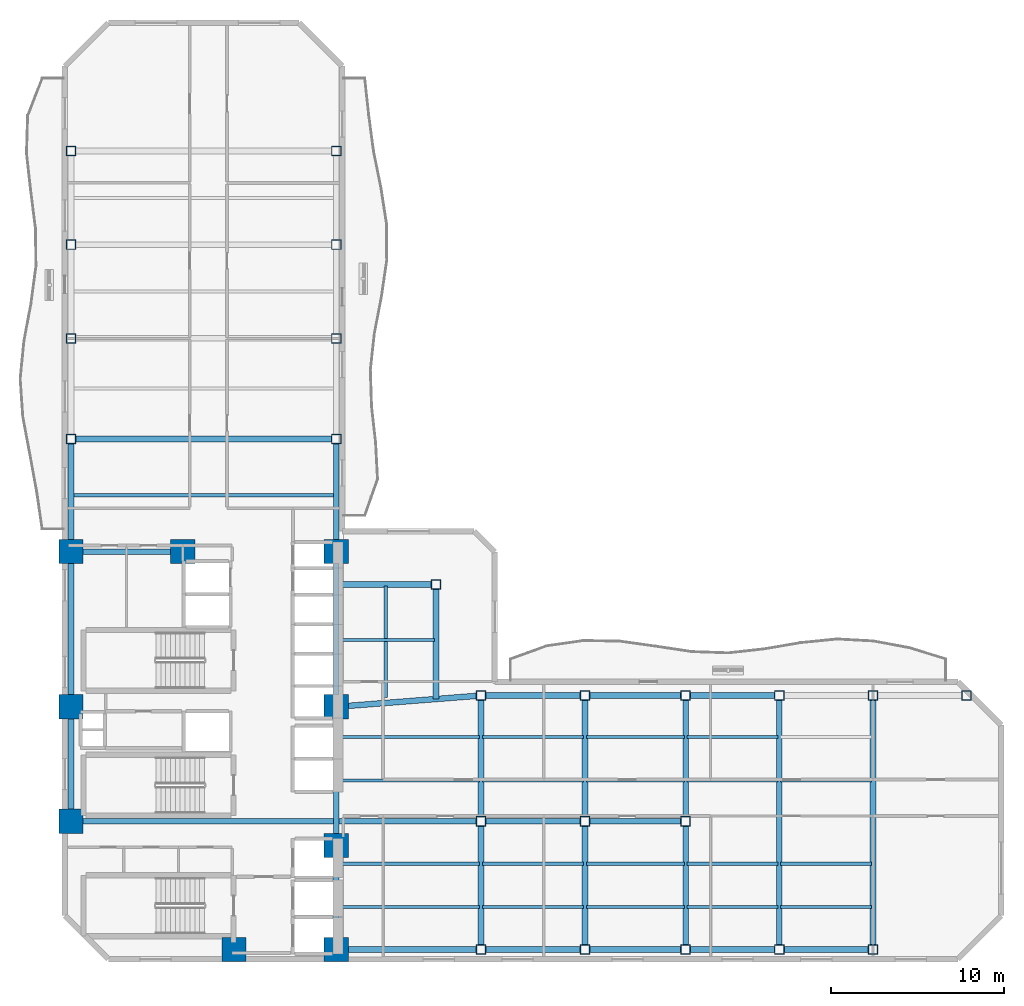
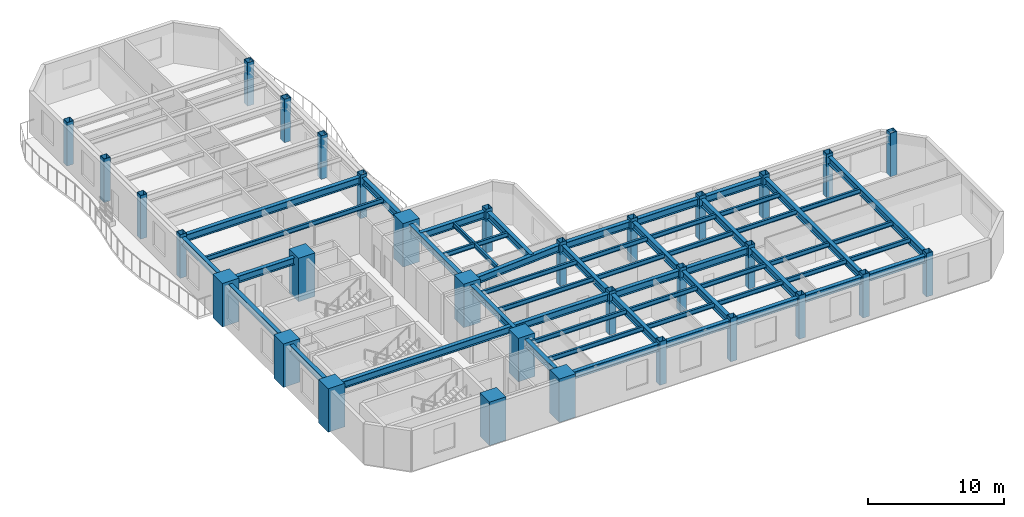
# One storey, part 1 of 10: 53 beams, 32 columns.
"""IFC4 building model written with IfcOpenShell, lengths in metres."""

from ifc_helpers import new_model, si_unit, direction, frame, origin, origin_2d, place, context, subcontext, project, spatial, rectangle, hollow_rectangle, i_section, extrude, material, material_profile, profile_set, type_object, element, save


model = new_model("IFC4")

# Units and contexts
model_context = context("Model", 3, precision=1e-05, world=origin(), true_north=direction((0.0, 1.0)))
body_context = subcontext(model_context, "Body", "Model", "MODEL_VIEW")
ifc_project = project(units=[si_unit("LENGTHUNIT", "METRE"), si_unit("AREAUNIT", "SQUARE_METRE"), si_unit("VOLUMEUNIT", "CUBIC_METRE"), si_unit("PLANEANGLEUNIT", "RADIAN"), si_unit("MASSUNIT", "GRAM", prefix="KILO")], contexts=[model_context])

# Site, building, storey
site_placement = place(None, origin())
site = spatial("IfcSite", under=ifc_project, at=site_placement, CompositionType="ELEMENT")
building_placement = place(site_placement, origin())
building = spatial("IfcBuilding", under=site, at=building_placement, Name="Mawjaban Terraces University", CompositionType="ELEMENT")
storey_placement = place(building_placement, frame((0.0, 0.0, 89.5)))
storey = spatial("IfcBuildingStorey", under=building, at=storey_placement, Name="L21", CompositionType="ELEMENT", Elevation=89.5)

# Columns
ifc_material_1 = material(Name="Concrete C70/85", Category="concrete")
ifc_material_profile_1 = material_profile(ifc_material_1, rectangle(XDim=1.39990234375, YDim=1.39990234375, at=origin_2d()), Name="RC1400X1400")
ifc_profile_set_1 = profile_set([ifc_material_profile_1], Name="Concrete C70/85")
column_type_1 = type_object("IfcColumnType", Name="Col_RC1400X1400", PredefinedType="COLUMN", material=ifc_profile_set_1)
for number, where, z_axis, x_axis, name in (
    (1, (31.75, 0.550048828125, 0.0), (0.0, 0.0, 1.0), (1.0, 0.0, 0.0), "L21 Column CC2"),
    (2, (37.64990234375, 0.550048828125, 0.0), (0.0, 0.0, 1.0), (1.0, 0.0, 0.0), "L21 Column CC3"),
    (3, (22.35009765625, 7.949951171875, 0.0), (0.0, 0.0, 1.0), (1.0, 0.0, 0.0), "L21 Column CC4"),
    (4, (37.64990234375, 6.550048828125, 0.0), (0.0, 0.0, 1.0), (1.0, 0.0, 0.0), "L21 Column CC5"),
    (5, (22.35009765625, 14.550048828125, 0.0), (0.0, 0.0, 1.0), (1.0, 0.0, 0.0), "L21 Column CC6"),
    (6, (37.64990234375, 14.550048828125, 0.0), (0.0, 0.0, 1.0), (1.0, 0.0, 0.0), "L21 Column CC7"),
    (7, (22.35009765625, 23.5, 0.0), (0.0, 0.0, 1.0), (1.0, 0.0, 0.0), "L21 Column CC8"),
    (8, (28.800048828125, 23.5, 0.0), (0.0, 0.0, 1.0), (1.0, 0.0, 0.0), "L21 Column CC9"),
    (9, (37.64990234375, 23.5, 0.0), (0.0, 0.0, 1.0), (1.0, 0.0, 0.0), "L21 Column CC10"),
):
    element("IfcColumn", number, at=place(storey_placement, frame(where, z_axis=z_axis, x_axis=x_axis)), inside=storey, type_object=column_type_1, Name=name, PredefinedType="COLUMN", context=body_context, shape_type="SweptSolid", body=[
        extrude(rectangle(XDim=1.39990234375, YDim=1.39990234375, at=origin_2d()), origin(), (0.0, 0.0, 1.0), 3.89990234375),
    ])
ifc_material_2 = material(Name="Steel EN 10210-1 S355J2H", Category="steel")
ifc_material_profile_2 = material_profile(ifc_material_2, hollow_rectangle(XDim=0.550048828125, YDim=0.550048828125, WallThickness=0.02490234375, at=origin_2d()), Name="SHS550X550X25")
ifc_profile_set_2 = profile_set([ifc_material_profile_2], Name="Steel EN 10210-1 S355J2H")
column_type_2 = type_object("IfcColumnType", Name="Col_SHS550X550X25", PredefinedType="COLUMN", material=ifc_profile_set_2)
for number, where, z_axis, x_axis, name in (
    (10, (46.0, 0.550048828125, 0.0), (0.0, 0.0, 1.0), (1.0, 0.0, 0.0), "L21 Column TE-460-005"),
    (11, (46.0, 7.949951171875, 0.0), (0.0, 0.0, 1.0), (1.0, 0.0, 0.0), "L21 Column TE-460-080"),
    (12, (46.0, 15.199951171875, 0.0), (0.0, 0.0, 1.0), (1.0, 0.0, 0.0), "L21 Column TE-460-152"),
    (13, (52.0, 0.550048828125, 0.0), (0.0, 0.0, 1.0), (1.0, 0.0, 0.0), "L21 Column TE-520-005"),
    (14, (52.0, 7.949951171875, 0.0), (0.0, 0.0, 1.0), (1.0, 0.0, 0.0), "L21 Column TE-520-080"),
    (15, (52.0, 15.199951171875, 0.0), (0.0, 0.0, 1.0), (1.0, 0.0, 0.0), "L21 Column TE-520-152"),
    (16, (57.800048828125, 0.550048828125, 0.0), (0.0, 0.0, 1.0), (1.0, 0.0, 0.0), "L21 Column TE-578-005"),
    (17, (57.800048828125, 7.949951171875, 0.0), (0.0, 0.0, 1.0), (1.0, 0.0, 0.0), "L21 Column TE-578-080"),
    (18, (57.800048828125, 15.199951171875, 0.0), (0.0, 0.0, 1.0), (1.0, 0.0, 0.0), "L21 Column TE-578-152"),
    (19, (63.199951171875, 0.550048828125, 0.0), (0.0, 0.0, 1.0), (1.0, 0.0, 0.0), "L21 Column TE-632-005"),
    (20, (63.199951171875, 15.199951171875, 0.0), (0.0, 0.0, 1.0), (1.0, 0.0, 0.0), "L21 Column TE-632-152"),
    (21, (68.60009765625, 0.550048828125, 0.0), (0.0, 0.0, 1.0), (1.0, 0.0, 0.0), "L21 Column TE-686-005"),
    (22, (68.60009765625, 15.199951171875, 0.0), (0.0, 0.0, 1.0), (1.0, 0.0, 0.0), "L21 Column TE-686-152"),
    (23, (74.0, 15.199951171875, 0.0), (0.0, 0.0, 1.0), (1.0, 0.0, 0.0), "L21 Column TE-740-152"),
    (24, (22.35009765625, 30.0, 0.0), (0.0, 0.0, 1.0), (1.0, 0.0, 0.0), "L21 Column TN-223-300"),
    (25, (37.64990234375, 30.0, 0.0), (0.0, 0.0, 1.0), (1.0, 0.0, 0.0), "L21 Column TN-376-300"),
    (26, (22.35009765625, 35.800048828125, 0.0), (0.0, 0.0, 1.0), (1.0, 0.0, 0.0), "L21 Column TN-223-358"),
    (27, (37.64990234375, 35.800048828125, 0.0), (0.0, 0.0, 1.0), (1.0, 0.0, 0.0), "L21 Column TN-376-358"),
    (28, (22.35009765625, 41.199951171875, 0.0), (0.0, 0.0, 1.0), (1.0, 0.0, 0.0), "L21 Column TN-223-412"),
    (29, (37.64990234375, 41.199951171875, 0.0), (0.0, 0.0, 1.0), (1.0, 0.0, 0.0), "L21 Column TN-376-412"),
    (30, (22.35009765625, 46.60009765625, 0.0), (0.0, 0.0, 1.0), (1.0, 0.0, 0.0), "L21 Column TN-223-466"),
    (31, (37.64990234375, 46.60009765625, 0.0), (0.0, 0.0, 1.0), (1.0, 0.0, 0.0), "L21 Column TN-376-466"),
    (32, (43.39990234375, 21.60009765625, 0.0), (0.0, 0.0, 1.0), (1.0, 0.0, 0.0), "L21 Column TS-434-216"),
):
    element("IfcColumn", number, at=place(storey_placement, frame(where, z_axis=z_axis, x_axis=x_axis)), inside=storey, type_object=column_type_2, Name=name, PredefinedType="COLUMN", context=body_context, shape_type="SweptSolid", body=[
        extrude(hollow_rectangle(XDim=0.550048828125, YDim=0.550048828125, WallThickness=0.02490234375, at=origin_2d()), origin(), (0.0, 0.0, 1.0), 3.89990234375),
    ])

# Beams
ifc_material_3 = material(Name="Steel ASTM A572 Grade 50", Category="steel")
ifc_material_profile_3 = material_profile(ifc_material_3, i_section(OverallWidth=0.3291015625, OverallDepth=0.635009765625, WebThickness=0.017822265625, FlangeThickness=0.031005859375, at=origin_2d()), Name="W610X241")
ifc_profile_set_3 = profile_set([ifc_material_profile_3], Name="Steel ASTM A572 Grade 50")
beam_type_1 = type_object("IfcBeamType", Name="Beam_B_W610X241", PredefinedType="BEAM", material=ifc_profile_set_3)
beam_1_placement = place(storey_placement, frame((38.35009765625, 0.550048828125, 3.322998046875), z_axis=(1.0, 0.0, 0.0), x_axis=(0.0, 1.0, 0.0)))
element("IfcBeam", 33, at=beam_1_placement, inside=storey, type_object=beam_type_1, Name="L21 Beam BM-L21-EW-01", PredefinedType="BEAM", context=body_context, shape_type="SweptSolid", body=[
    extrude(i_section(OverallWidth=0.3291015625, OverallDepth=0.635009765625, WebThickness=0.017822265625, FlangeThickness=0.031005859375, at=origin_2d()), origin(), (0.0, 0.0, 1.0), 7.375),
])
beam_2_placement = place(storey_placement, frame((46.27490234375, 0.550048828125, 3.322998046875), z_axis=(1.0, 0.0, 0.0), x_axis=(0.0, 1.0, 0.0)))
element("IfcBeam", 34, at=beam_2_placement, inside=storey, type_object=beam_type_1, Name="L21 Beam BM-L21-EW-02", PredefinedType="BEAM", context=body_context, shape_type="SweptSolid", body=[
    extrude(i_section(OverallWidth=0.3291015625, OverallDepth=0.635009765625, WebThickness=0.017822265625, FlangeThickness=0.031005859375, at=origin_2d()), origin(), (0.0, 0.0, 1.0), 5.4501953125),
])
beam_3_placement = place(storey_placement, frame((52.27490234375, 0.550048828125, 3.322998046875), z_axis=(1.0, 0.0, 0.0), x_axis=(0.0, 1.0, 0.0)))
element("IfcBeam", 35, at=beam_3_placement, inside=storey, type_object=beam_type_1, Name="L21 Beam BM-L21-EW-03", PredefinedType="BEAM", context=body_context, shape_type="SweptSolid", body=[
    extrude(i_section(OverallWidth=0.3291015625, OverallDepth=0.635009765625, WebThickness=0.017822265625, FlangeThickness=0.031005859375, at=origin_2d()), origin(), (0.0, 0.0, 1.0), 5.25),
])
beam_4_placement = place(storey_placement, frame((58.074951171875, 0.550048828125, 3.322998046875), z_axis=(1.0, 0.0, 0.0), x_axis=(0.0, 1.0, 0.0)))
element("IfcBeam", 36, at=beam_4_placement, inside=storey, type_object=beam_type_1, Name="L21 Beam BM-L21-EW-04", PredefinedType="BEAM", context=body_context, shape_type="SweptSolid", body=[
    extrude(i_section(OverallWidth=0.3291015625, OverallDepth=0.635009765625, WebThickness=0.017822265625, FlangeThickness=0.031005859375, at=origin_2d()), origin(), (0.0, 0.0, 1.0), 4.85009765625),
])
beam_5_placement = place(storey_placement, frame((63.47509765625, 0.550048828125, 3.322998046875), z_axis=(1.0, 0.0, 0.0), x_axis=(0.0, 1.0, 0.0)))
element("IfcBeam", 37, at=beam_5_placement, inside=storey, type_object=beam_type_1, Name="L21 Beam BM-L21-EW-05", PredefinedType="BEAM", context=body_context, shape_type="SweptSolid", body=[
    extrude(i_section(OverallWidth=0.3291015625, OverallDepth=0.635009765625, WebThickness=0.017822265625, FlangeThickness=0.031005859375, at=origin_2d()), origin(), (0.0, 0.0, 1.0), 4.849853515625),
])
beam_6_placement = place(storey_placement, frame((23.050048828125, 7.949951171875, 3.322998046875), z_axis=(1.0, 0.0, 0.0), x_axis=(0.0, 1.0, 0.0)))
element("IfcBeam", 38, at=beam_6_placement, inside=storey, type_object=beam_type_1, Name="L21 Beam BM-L21-EW-06", PredefinedType="BEAM", context=body_context, shape_type="SweptSolid", body=[
    extrude(i_section(OverallWidth=0.3291015625, OverallDepth=0.635009765625, WebThickness=0.017822265625, FlangeThickness=0.031005859375, at=origin_2d()), origin(), (0.0, 0.0, 1.0), 22.675048828125),
])
beam_7_placement = place(storey_placement, frame((46.27490234375, 7.949951171875, 3.322998046875), z_axis=(1.0, 0.0, 0.0), x_axis=(0.0, 1.0, 0.0)))
element("IfcBeam", 39, at=beam_7_placement, inside=storey, type_object=beam_type_1, Name="L21 Beam BM-L21-EW-07", PredefinedType="BEAM", context=body_context, shape_type="SweptSolid", body=[
    extrude(i_section(OverallWidth=0.3291015625, OverallDepth=0.635009765625, WebThickness=0.017822265625, FlangeThickness=0.031005859375, at=origin_2d()), origin(), (0.0, 0.0, 1.0), 5.4501953125),
])
beam_8_placement = place(storey_placement, frame((52.27490234375, 7.949951171875, 3.322998046875), z_axis=(1.0, 0.0, 0.0), x_axis=(0.0, 1.0, 0.0)))
element("IfcBeam", 40, at=beam_8_placement, inside=storey, type_object=beam_type_1, Name="L21 Beam BM-L21-EW-08", PredefinedType="BEAM", context=body_context, shape_type="SweptSolid", body=[
    extrude(i_section(OverallWidth=0.3291015625, OverallDepth=0.635009765625, WebThickness=0.017822265625, FlangeThickness=0.031005859375, at=origin_2d()), origin(), (0.0, 0.0, 1.0), 5.25),
])
beam_9_placement = place(storey_placement, frame((46.27490234375, 15.199951171875, 3.322998046875), z_axis=(1.0, 0.0, 0.0), x_axis=(0.0, 1.0, 0.0)))
element("IfcBeam", 41, at=beam_9_placement, inside=storey, type_object=beam_type_1, Name="L21 Beam BM-L21-EW-09", PredefinedType="BEAM", context=body_context, shape_type="SweptSolid", body=[
    extrude(i_section(OverallWidth=0.3291015625, OverallDepth=0.635009765625, WebThickness=0.017822265625, FlangeThickness=0.031005859375, at=origin_2d()), origin(), (0.0, 0.0, 1.0), 5.4501953125),
])
beam_10_placement = place(storey_placement, frame((52.27490234375, 15.199951171875, 3.322998046875), z_axis=(1.0, 0.0, 0.0), x_axis=(0.0, 1.0, 0.0)))
element("IfcBeam", 42, at=beam_10_placement, inside=storey, type_object=beam_type_1, Name="L21 Beam BM-L21-EW-10", PredefinedType="BEAM", context=body_context, shape_type="SweptSolid", body=[
    extrude(i_section(OverallWidth=0.3291015625, OverallDepth=0.635009765625, WebThickness=0.017822265625, FlangeThickness=0.031005859375, at=origin_2d()), origin(), (0.0, 0.0, 1.0), 5.25),
])
beam_11_placement = place(storey_placement, frame((58.074951171875, 15.199951171875, 3.322998046875), z_axis=(1.0, 0.0, 0.0), x_axis=(0.0, 1.0, 0.0)))
element("IfcBeam", 43, at=beam_11_placement, inside=storey, type_object=beam_type_1, Name="L21 Beam BM-L21-EW-11", PredefinedType="BEAM", context=body_context, shape_type="SweptSolid", body=[
    extrude(i_section(OverallWidth=0.3291015625, OverallDepth=0.635009765625, WebThickness=0.017822265625, FlangeThickness=0.031005859375, at=origin_2d()), origin(), (0.0, 0.0, 1.0), 4.85009765625),
])
beam_12_placement = place(storey_placement, frame((23.050048828125, 23.5, 3.322998046875), z_axis=(1.0, 0.0, 0.0), x_axis=(0.0, 1.0, 0.0)))
element("IfcBeam", 44, at=beam_12_placement, inside=storey, type_object=beam_type_1, Name="L21 Beam BM-L21-EW-14", PredefinedType="BEAM", context=body_context, shape_type="SweptSolid", body=[
    extrude(i_section(OverallWidth=0.3291015625, OverallDepth=0.635009765625, WebThickness=0.017822265625, FlangeThickness=0.031005859375, at=origin_2d()), origin(), (0.0, 0.0, 1.0), 5.050048828125),
])
beam_13_placement = place(storey_placement, frame((22.625, 30.0, 3.322998046875), z_axis=(1.0, 0.0, 0.0), x_axis=(0.0, 1.0, 0.0)))
element("IfcBeam", 45, at=beam_13_placement, inside=storey, type_object=beam_type_1, Name="L21 Beam BM-L21-EW-15", PredefinedType="BEAM", context=body_context, shape_type="SweptSolid", body=[
    extrude(i_section(OverallWidth=0.3291015625, OverallDepth=0.635009765625, WebThickness=0.017822265625, FlangeThickness=0.031005859375, at=origin_2d()), origin(), (0.0, 0.0, 1.0), 14.75),
])
beam_14_placement = place(storey_placement, frame((22.35009765625, 8.64990234375, 3.322998046875), z_axis=(0.0, 1.0, 0.0), x_axis=(-1.0, 0.0, 0.0)))
element("IfcBeam", 46, at=beam_14_placement, inside=storey, type_object=beam_type_1, Name="L21 Beam BM-L21-NS-01", PredefinedType="BEAM", context=body_context, shape_type="SweptSolid", body=[
    extrude(i_section(OverallWidth=0.3291015625, OverallDepth=0.635009765625, WebThickness=0.017822265625, FlangeThickness=0.031005859375, at=origin_2d()), origin(), (0.0, 0.0, 1.0), 5.2001953125),
])
beam_15_placement = place(storey_placement, frame((22.35009765625, 15.25, 3.322998046875), z_axis=(0.0, 1.0, 0.0), x_axis=(-1.0, 0.0, 0.0)))
element("IfcBeam", 47, at=beam_15_placement, inside=storey, type_object=beam_type_1, Name="L21 Beam BM-L21-NS-02", PredefinedType="BEAM", context=body_context, shape_type="SweptSolid", body=[
    extrude(i_section(OverallWidth=0.3291015625, OverallDepth=0.635009765625, WebThickness=0.017822265625, FlangeThickness=0.031005859375, at=origin_2d()), origin(), (0.0, 0.0, 1.0), 7.550048828125),
])
beam_16_placement = place(storey_placement, frame((22.35009765625, 24.199951171875, 3.322998046875), z_axis=(0.0, 1.0, 0.0), x_axis=(-1.0, 0.0, 0.0)))
element("IfcBeam", 48, at=beam_16_placement, inside=storey, type_object=beam_type_1, Name="L21 Beam BM-L21-NS-03", PredefinedType="BEAM", context=body_context, shape_type="SweptSolid", body=[
    extrude(i_section(OverallWidth=0.3291015625, OverallDepth=0.635009765625, WebThickness=0.017822265625, FlangeThickness=0.031005859375, at=origin_2d()), origin(), (0.0, 0.0, 1.0), 5.525146484375),
])
beam_17_placement = place(storey_placement, frame((37.64990234375, 1.25, 3.322998046875), z_axis=(0.0, 1.0, 0.0), x_axis=(-1.0, 0.0, 0.0)))
element("IfcBeam", 49, at=beam_17_placement, inside=storey, type_object=beam_type_1, Name="L21 Beam BM-L21-NS-07", PredefinedType="BEAM", context=body_context, shape_type="SweptSolid", body=[
    extrude(i_section(OverallWidth=0.3291015625, OverallDepth=0.635009765625, WebThickness=0.017822265625, FlangeThickness=0.031005859375, at=origin_2d()), origin(), (0.0, 0.0, 1.0), 4.60009765625),
])
beam_18_placement = place(storey_placement, frame((37.64990234375, 7.25, 3.322998046875), z_axis=(0.0, 1.0, 0.0), x_axis=(-1.0, 0.0, 0.0)))
element("IfcBeam", 50, at=beam_18_placement, inside=storey, type_object=beam_type_1, Name="L21 Beam BM-L21-NS-08", PredefinedType="BEAM", context=body_context, shape_type="SweptSolid", body=[
    extrude(i_section(OverallWidth=0.3291015625, OverallDepth=0.635009765625, WebThickness=0.017822265625, FlangeThickness=0.031005859375, at=origin_2d()), origin(), (0.0, 0.0, 1.0), 6.60009765625),
])
beam_19_placement = place(storey_placement, frame((37.64990234375, 15.25, 3.322998046875), z_axis=(0.0, 1.0, 0.0), x_axis=(-1.0, 0.0, 0.0)))
element("IfcBeam", 51, at=beam_19_placement, inside=storey, type_object=beam_type_1, Name="L21 Beam BM-L21-NS-09", PredefinedType="BEAM", context=body_context, shape_type="SweptSolid", body=[
    extrude(i_section(OverallWidth=0.3291015625, OverallDepth=0.635009765625, WebThickness=0.017822265625, FlangeThickness=0.031005859375, at=origin_2d()), origin(), (0.0, 0.0, 1.0), 7.550048828125),
])
beam_20_placement = place(storey_placement, frame((37.64990234375, 24.199951171875, 3.322998046875), z_axis=(0.0, 1.0, 0.0), x_axis=(-1.0, 0.0, 0.0)))
element("IfcBeam", 52, at=beam_20_placement, inside=storey, type_object=beam_type_1, Name="L21 Beam BM-L21-NS-10", PredefinedType="BEAM", context=body_context, shape_type="SweptSolid", body=[
    extrude(i_section(OverallWidth=0.3291015625, OverallDepth=0.635009765625, WebThickness=0.017822265625, FlangeThickness=0.031005859375, at=origin_2d()), origin(), (0.0, 0.0, 1.0), 5.525146484375),
])
beam_21_placement = place(storey_placement, frame((46.0, 0.824951171875, 3.322998046875), z_axis=(0.0, 1.0, 0.0), x_axis=(-1.0, 0.0, 0.0)))
element("IfcBeam", 53, at=beam_21_placement, inside=storey, type_object=beam_type_1, Name="L21 Beam BM-L21-NS-14", PredefinedType="BEAM", context=body_context, shape_type="SweptSolid", body=[
    extrude(i_section(OverallWidth=0.3291015625, OverallDepth=0.635009765625, WebThickness=0.017822265625, FlangeThickness=0.031005859375, at=origin_2d()), origin(), (0.0, 0.0, 1.0), 6.85009765625),
])
beam_22_placement = place(storey_placement, frame((46.0, 8.22509765625, 3.322998046875), z_axis=(0.0, 1.0, 0.0), x_axis=(-1.0, 0.0, 0.0)))
element("IfcBeam", 54, at=beam_22_placement, inside=storey, type_object=beam_type_1, Name="L21 Beam BM-L21-NS-15", PredefinedType="BEAM", context=body_context, shape_type="SweptSolid", body=[
    extrude(i_section(OverallWidth=0.3291015625, OverallDepth=0.635009765625, WebThickness=0.017822265625, FlangeThickness=0.031005859375, at=origin_2d()), origin(), (0.0, 0.0, 1.0), 6.699951171875),
])
beam_23_placement = place(storey_placement, frame((52.0, 0.824951171875, 3.322998046875), z_axis=(0.0, 1.0, 0.0), x_axis=(-1.0, 0.0, 0.0)))
element("IfcBeam", 55, at=beam_23_placement, inside=storey, type_object=beam_type_1, Name="L21 Beam BM-L21-NS-16", PredefinedType="BEAM", context=body_context, shape_type="SweptSolid", body=[
    extrude(i_section(OverallWidth=0.3291015625, OverallDepth=0.635009765625, WebThickness=0.017822265625, FlangeThickness=0.031005859375, at=origin_2d()), origin(), (0.0, 0.0, 1.0), 6.85009765625),
])
beam_24_placement = place(storey_placement, frame((52.0, 8.22509765625, 3.322998046875), z_axis=(0.0, 1.0, 0.0), x_axis=(-1.0, 0.0, 0.0)))
element("IfcBeam", 56, at=beam_24_placement, inside=storey, type_object=beam_type_1, Name="L21 Beam BM-L21-NS-17", PredefinedType="BEAM", context=body_context, shape_type="SweptSolid", body=[
    extrude(i_section(OverallWidth=0.3291015625, OverallDepth=0.635009765625, WebThickness=0.017822265625, FlangeThickness=0.031005859375, at=origin_2d()), origin(), (0.0, 0.0, 1.0), 6.699951171875),
])
beam_25_placement = place(storey_placement, frame((57.800048828125, 0.824951171875, 3.322998046875), z_axis=(0.0, 1.0, 0.0), x_axis=(-1.0, 0.0, 0.0)))
element("IfcBeam", 57, at=beam_25_placement, inside=storey, type_object=beam_type_1, Name="L21 Beam BM-L21-NS-18", PredefinedType="BEAM", context=body_context, shape_type="SweptSolid", body=[
    extrude(i_section(OverallWidth=0.3291015625, OverallDepth=0.635009765625, WebThickness=0.017822265625, FlangeThickness=0.031005859375, at=origin_2d()), origin(), (0.0, 0.0, 1.0), 6.85009765625),
])
beam_26_placement = place(storey_placement, frame((57.800048828125, 8.22509765625, 3.322998046875), z_axis=(0.0, 1.0, 0.0), x_axis=(-1.0, 0.0, 0.0)))
element("IfcBeam", 58, at=beam_26_placement, inside=storey, type_object=beam_type_1, Name="L21 Beam BM-L21-NS-19", PredefinedType="BEAM", context=body_context, shape_type="SweptSolid", body=[
    extrude(i_section(OverallWidth=0.3291015625, OverallDepth=0.635009765625, WebThickness=0.017822265625, FlangeThickness=0.031005859375, at=origin_2d()), origin(), (0.0, 0.0, 1.0), 6.699951171875),
])
for number, where, z_axis, x_axis, name in (
    (59, (63.199951171875, 0.824951171875, 3.322998046875), (0.0, 1.0, 0.0), (-1.0, 0.0, 0.0), "L21 Beam BM-L21-NS-20"),
    (60, (68.60009765625, 0.824951171875, 3.322998046875), (0.0, 1.0, 0.0), (-1.0, 0.0, 0.0), "L21 Beam BM-L21-NS-21"),
):
    element("IfcBeam", number, at=place(storey_placement, frame(where, z_axis=z_axis, x_axis=x_axis)), inside=storey, type_object=beam_type_1, Name=name, PredefinedType="BEAM", context=body_context, shape_type="SweptSolid", body=[
        extrude(i_section(OverallWidth=0.3291015625, OverallDepth=0.635009765625, WebThickness=0.017822265625, FlangeThickness=0.031005859375, at=origin_2d()), origin(), (0.0, 0.0, 1.0), 14.10009765625),
    ])
beam_27_placement = place(storey_placement, frame((38.347900390625, 14.60400390625, 3.322998046875), z_axis=(0.996977531908, 0.077690416851, 0.0), x_axis=(-0.077690416851, 0.996977531908, 0.0)))
element("IfcBeam", 61, at=beam_27_placement, inside=storey, type_object=beam_type_1, Name="L21 Beam BM-L21-CTIE", PredefinedType="BEAM", context=body_context, shape_type="SweptSolid", body=[
    extrude(i_section(OverallWidth=0.3291015625, OverallDepth=0.635009765625, WebThickness=0.017822265625, FlangeThickness=0.031005859375, at=origin_2d()), origin(), (0.0, 0.0, 1.0), 7.400634765625),
])
beam_28_placement = place(storey_placement, frame((37.679931640625, 21.60009765625, 3.322998046875), z_axis=(1.0, 0.0, 0.0), x_axis=(0.0, 1.0, 0.0)))
element("IfcBeam", 62, at=beam_28_placement, inside=storey, type_object=beam_type_1, Name="L21 Spur Tie Girder West", PredefinedType="BEAM", context=body_context, shape_type="SweptSolid", body=[
    extrude(i_section(OverallWidth=0.3291015625, OverallDepth=0.635009765625, WebThickness=0.017822265625, FlangeThickness=0.031005859375, at=origin_2d()), origin(), (0.0, 0.0, 1.0), 5.445068359375),
])
beam_29_placement = place(storey_placement, frame((43.39990234375, 15.0, 3.322998046875), z_axis=(0.0, 1.0, 0.0), x_axis=(-1.0, 0.0, 0.0)))
element("IfcBeam", 63, at=beam_29_placement, inside=storey, type_object=beam_type_1, Name="L21 Spur Tie Girder South", PredefinedType="BEAM", context=body_context, shape_type="SweptSolid", body=[
    extrude(i_section(OverallWidth=0.3291015625, OverallDepth=0.635009765625, WebThickness=0.017822265625, FlangeThickness=0.031005859375, at=origin_2d()), origin(), (0.0, 0.0, 1.0), 6.324951171875),
])
ifc_material_profile_4 = material_profile(ifc_material_3, i_section(OverallWidth=0.179931640625, OverallDepth=0.4130859375, WebThickness=0.009765625, FlangeThickness=0.01611328125, at=origin_2d()), Name="W410X74")
ifc_profile_set_4 = profile_set([ifc_material_profile_4], Name="Steel ASTM A572 Grade 50")
beam_type_2 = type_object("IfcBeamType", Name="Beam_J_W410X74", PredefinedType="JOIST", material=ifc_profile_set_4)
beam_30_placement = place(storey_placement, frame((37.72998046875, 3.0, 3.43310546875), z_axis=(1.0, 0.0, 0.0), x_axis=(0.0, 1.0, 0.0)))
element("IfcBeam", 64, at=beam_30_placement, inside=storey, type_object=beam_type_2, Name="L21 Composite Joist JST-L21-01", PredefinedType="JOIST", context=body_context, shape_type="SweptSolid", body=[
    extrude(i_section(OverallWidth=0.179931640625, OverallDepth=0.4130859375, WebThickness=0.009765625, FlangeThickness=0.01611328125, at=origin_2d()), origin(), (0.0, 0.0, 1.0), 8.18994140625),
])
beam_31_placement = place(storey_placement, frame((46.080078125, 3.0, 3.43310546875), z_axis=(1.0, 0.0, 0.0), x_axis=(0.0, 1.0, 0.0)))
element("IfcBeam", 65, at=beam_31_placement, inside=storey, type_object=beam_type_2, Name="L21 Composite Joist JST-L21-02", PredefinedType="JOIST", context=body_context, shape_type="SweptSolid", body=[
    extrude(i_section(OverallWidth=0.179931640625, OverallDepth=0.4130859375, WebThickness=0.009765625, FlangeThickness=0.01611328125, at=origin_2d()), origin(), (0.0, 0.0, 1.0), 5.83984375),
])
beam_32_placement = place(storey_placement, frame((52.080078125, 3.0, 3.43310546875), z_axis=(1.0, 0.0, 0.0), x_axis=(0.0, 1.0, 0.0)))
element("IfcBeam", 66, at=beam_32_placement, inside=storey, type_object=beam_type_2, Name="L21 Composite Joist JST-L21-03", PredefinedType="JOIST", context=body_context, shape_type="SweptSolid", body=[
    extrude(i_section(OverallWidth=0.179931640625, OverallDepth=0.4130859375, WebThickness=0.009765625, FlangeThickness=0.01611328125, at=origin_2d()), origin(), (0.0, 0.0, 1.0), 5.639892578125),
])
beam_33_placement = place(storey_placement, frame((57.8798828125, 3.0, 3.43310546875), z_axis=(1.0, 0.0, 0.0), x_axis=(0.0, 1.0, 0.0)))
element("IfcBeam", 67, at=beam_33_placement, inside=storey, type_object=beam_type_2, Name="L21 Composite Joist JST-L21-04", PredefinedType="JOIST", context=body_context, shape_type="SweptSolid", body=[
    extrude(i_section(OverallWidth=0.179931640625, OverallDepth=0.4130859375, WebThickness=0.009765625, FlangeThickness=0.01611328125, at=origin_2d()), origin(), (0.0, 0.0, 1.0), 5.240234375),
])
beam_34_placement = place(storey_placement, frame((63.280029296875, 3.0, 3.43310546875), z_axis=(1.0, 0.0, 0.0), x_axis=(0.0, 1.0, 0.0)))
element("IfcBeam", 68, at=beam_34_placement, inside=storey, type_object=beam_type_2, Name="L21 Composite Joist JST-L21-05", PredefinedType="JOIST", context=body_context, shape_type="SweptSolid", body=[
    extrude(i_section(OverallWidth=0.179931640625, OverallDepth=0.4130859375, WebThickness=0.009765625, FlangeThickness=0.01611328125, at=origin_2d()), origin(), (0.0, 0.0, 1.0), 5.239990234375),
])
beam_35_placement = place(storey_placement, frame((37.72998046875, 5.5, 3.43310546875), z_axis=(1.0, 0.0, 0.0), x_axis=(0.0, 1.0, 0.0)))
element("IfcBeam", 69, at=beam_35_placement, inside=storey, type_object=beam_type_2, Name="L21 Composite Joist JST-L21-06", PredefinedType="JOIST", context=body_context, shape_type="SweptSolid", body=[
    extrude(i_section(OverallWidth=0.179931640625, OverallDepth=0.4130859375, WebThickness=0.009765625, FlangeThickness=0.01611328125, at=origin_2d()), origin(), (0.0, 0.0, 1.0), 8.18994140625),
])
beam_36_placement = place(storey_placement, frame((46.080078125, 5.5, 3.43310546875), z_axis=(1.0, 0.0, 0.0), x_axis=(0.0, 1.0, 0.0)))
element("IfcBeam", 70, at=beam_36_placement, inside=storey, type_object=beam_type_2, Name="L21 Composite Joist JST-L21-07", PredefinedType="JOIST", context=body_context, shape_type="SweptSolid", body=[
    extrude(i_section(OverallWidth=0.179931640625, OverallDepth=0.4130859375, WebThickness=0.009765625, FlangeThickness=0.01611328125, at=origin_2d()), origin(), (0.0, 0.0, 1.0), 5.83984375),
])
beam_37_placement = place(storey_placement, frame((52.080078125, 5.5, 3.43310546875), z_axis=(1.0, 0.0, 0.0), x_axis=(0.0, 1.0, 0.0)))
element("IfcBeam", 71, at=beam_37_placement, inside=storey, type_object=beam_type_2, Name="L21 Composite Joist JST-L21-08", PredefinedType="JOIST", context=body_context, shape_type="SweptSolid", body=[
    extrude(i_section(OverallWidth=0.179931640625, OverallDepth=0.4130859375, WebThickness=0.009765625, FlangeThickness=0.01611328125, at=origin_2d()), origin(), (0.0, 0.0, 1.0), 5.639892578125),
])
beam_38_placement = place(storey_placement, frame((57.8798828125, 5.5, 3.43310546875), z_axis=(1.0, 0.0, 0.0), x_axis=(0.0, 1.0, 0.0)))
element("IfcBeam", 72, at=beam_38_placement, inside=storey, type_object=beam_type_2, Name="L21 Composite Joist JST-L21-09", PredefinedType="JOIST", context=body_context, shape_type="SweptSolid", body=[
    extrude(i_section(OverallWidth=0.179931640625, OverallDepth=0.4130859375, WebThickness=0.009765625, FlangeThickness=0.01611328125, at=origin_2d()), origin(), (0.0, 0.0, 1.0), 5.240234375),
])
beam_39_placement = place(storey_placement, frame((63.280029296875, 5.5, 3.43310546875), z_axis=(1.0, 0.0, 0.0), x_axis=(0.0, 1.0, 0.0)))
element("IfcBeam", 73, at=beam_39_placement, inside=storey, type_object=beam_type_2, Name="L21 Composite Joist JST-L21-10", PredefinedType="JOIST", context=body_context, shape_type="SweptSolid", body=[
    extrude(i_section(OverallWidth=0.179931640625, OverallDepth=0.4130859375, WebThickness=0.009765625, FlangeThickness=0.01611328125, at=origin_2d()), origin(), (0.0, 0.0, 1.0), 5.239990234375),
])
beam_40_placement = place(storey_placement, frame((37.72998046875, 10.300048828125, 3.43310546875), z_axis=(1.0, 0.0, 0.0), x_axis=(0.0, 1.0, 0.0)))
element("IfcBeam", 74, at=beam_40_placement, inside=storey, type_object=beam_type_2, Name="L21 Composite Joist JST-L21-11", PredefinedType="JOIST", context=body_context, shape_type="SweptSolid", body=[
    extrude(i_section(OverallWidth=0.179931640625, OverallDepth=0.4130859375, WebThickness=0.009765625, FlangeThickness=0.01611328125, at=origin_2d()), origin(), (0.0, 0.0, 1.0), 8.18994140625),
])
beam_41_placement = place(storey_placement, frame((46.080078125, 10.300048828125, 3.43310546875), z_axis=(1.0, 0.0, 0.0), x_axis=(0.0, 1.0, 0.0)))
element("IfcBeam", 75, at=beam_41_placement, inside=storey, type_object=beam_type_2, Name="L21 Composite Joist JST-L21-12", PredefinedType="JOIST", context=body_context, shape_type="SweptSolid", body=[
    extrude(i_section(OverallWidth=0.179931640625, OverallDepth=0.4130859375, WebThickness=0.009765625, FlangeThickness=0.01611328125, at=origin_2d()), origin(), (0.0, 0.0, 1.0), 5.83984375),
])
beam_42_placement = place(storey_placement, frame((52.080078125, 10.300048828125, 3.43310546875), z_axis=(1.0, 0.0, 0.0), x_axis=(0.0, 1.0, 0.0)))
element("IfcBeam", 76, at=beam_42_placement, inside=storey, type_object=beam_type_2, Name="L21 Composite Joist JST-L21-13", PredefinedType="JOIST", context=body_context, shape_type="SweptSolid", body=[
    extrude(i_section(OverallWidth=0.179931640625, OverallDepth=0.4130859375, WebThickness=0.009765625, FlangeThickness=0.01611328125, at=origin_2d()), origin(), (0.0, 0.0, 1.0), 5.639892578125),
])
beam_43_placement = place(storey_placement, frame((57.8798828125, 10.300048828125, 3.43310546875), z_axis=(1.0, 0.0, 0.0), x_axis=(0.0, 1.0, 0.0)))
element("IfcBeam", 77, at=beam_43_placement, inside=storey, type_object=beam_type_2, Name="L21 Composite Joist JST-L21-14", PredefinedType="JOIST", context=body_context, shape_type="SweptSolid", body=[
    extrude(i_section(OverallWidth=0.179931640625, OverallDepth=0.4130859375, WebThickness=0.009765625, FlangeThickness=0.01611328125, at=origin_2d()), origin(), (0.0, 0.0, 1.0), 5.240234375),
])
beam_44_placement = place(storey_placement, frame((63.280029296875, 10.300048828125, 3.43310546875), z_axis=(1.0, 0.0, 0.0), x_axis=(0.0, 1.0, 0.0)))
element("IfcBeam", 78, at=beam_44_placement, inside=storey, type_object=beam_type_2, Name="L21 Composite Joist JST-L21-15", PredefinedType="JOIST", context=body_context, shape_type="SweptSolid", body=[
    extrude(i_section(OverallWidth=0.179931640625, OverallDepth=0.4130859375, WebThickness=0.009765625, FlangeThickness=0.01611328125, at=origin_2d()), origin(), (0.0, 0.0, 1.0), 5.239990234375),
])
beam_45_placement = place(storey_placement, frame((37.72998046875, 12.800048828125, 3.43310546875), z_axis=(1.0, 0.0, 0.0), x_axis=(0.0, 1.0, 0.0)))
element("IfcBeam", 79, at=beam_45_placement, inside=storey, type_object=beam_type_2, Name="L21 Composite Joist JST-L21-16", PredefinedType="JOIST", context=body_context, shape_type="SweptSolid", body=[
    extrude(i_section(OverallWidth=0.179931640625, OverallDepth=0.4130859375, WebThickness=0.009765625, FlangeThickness=0.01611328125, at=origin_2d()), origin(), (0.0, 0.0, 1.0), 8.18994140625),
])
beam_46_placement = place(storey_placement, frame((46.080078125, 12.800048828125, 3.43310546875), z_axis=(1.0, 0.0, 0.0), x_axis=(0.0, 1.0, 0.0)))
element("IfcBeam", 80, at=beam_46_placement, inside=storey, type_object=beam_type_2, Name="L21 Composite Joist JST-L21-17", PredefinedType="JOIST", context=body_context, shape_type="SweptSolid", body=[
    extrude(i_section(OverallWidth=0.179931640625, OverallDepth=0.4130859375, WebThickness=0.009765625, FlangeThickness=0.01611328125, at=origin_2d()), origin(), (0.0, 0.0, 1.0), 5.83984375),
])
beam_47_placement = place(storey_placement, frame((52.080078125, 12.800048828125, 3.43310546875), z_axis=(1.0, 0.0, 0.0), x_axis=(0.0, 1.0, 0.0)))
element("IfcBeam", 81, at=beam_47_placement, inside=storey, type_object=beam_type_2, Name="L21 Composite Joist JST-L21-18", PredefinedType="JOIST", context=body_context, shape_type="SweptSolid", body=[
    extrude(i_section(OverallWidth=0.179931640625, OverallDepth=0.4130859375, WebThickness=0.009765625, FlangeThickness=0.01611328125, at=origin_2d()), origin(), (0.0, 0.0, 1.0), 5.639892578125),
])
beam_48_placement = place(storey_placement, frame((57.8798828125, 12.800048828125, 3.43310546875), z_axis=(1.0, 0.0, 0.0), x_axis=(0.0, 1.0, 0.0)))
element("IfcBeam", 82, at=beam_48_placement, inside=storey, type_object=beam_type_2, Name="L21 Composite Joist JST-L21-19", PredefinedType="JOIST", context=body_context, shape_type="SweptSolid", body=[
    extrude(i_section(OverallWidth=0.179931640625, OverallDepth=0.4130859375, WebThickness=0.009765625, FlangeThickness=0.01611328125, at=origin_2d()), origin(), (0.0, 0.0, 1.0), 5.240234375),
])
beam_49_placement = place(storey_placement, frame((37.72998046875, 18.39990234375, 3.43310546875), z_axis=(1.0, 0.0, 0.0), x_axis=(0.0, 1.0, 0.0)))
element("IfcBeam", 83, at=beam_49_placement, inside=storey, type_object=beam_type_2, Name="L21 Composite Joist JST-L21-21", PredefinedType="JOIST", context=body_context, shape_type="SweptSolid", body=[
    extrude(i_section(OverallWidth=0.179931640625, OverallDepth=0.4130859375, WebThickness=0.009765625, FlangeThickness=0.01611328125, at=origin_2d()), origin(), (0.0, 0.0, 1.0), 5.590087890625),
])
beam_50_placement = place(storey_placement, frame((22.429931640625, 26.75, 3.43310546875), z_axis=(1.0, 0.0, 0.0), x_axis=(0.0, 1.0, 0.0)))
element("IfcBeam", 84, at=beam_50_placement, inside=storey, type_object=beam_type_2, Name="L21 Composite Joist JST-L21-22", PredefinedType="JOIST", context=body_context, shape_type="SweptSolid", body=[
    extrude(i_section(OverallWidth=0.179931640625, OverallDepth=0.4130859375, WebThickness=0.009765625, FlangeThickness=0.01611328125, at=origin_2d()), origin(), (0.0, 0.0, 1.0), 15.14013671875),
])
beam_51_placement = place(storey_placement, frame((40.5, 15.080078125, 3.43310546875), z_axis=(0.0, 1.0, 0.0), x_axis=(-1.0, 0.0, 0.0)))
element("IfcBeam", 85, at=beam_51_placement, inside=storey, type_object=beam_type_2, Name="L21 Composite Joist JST-L21-NS-26", PredefinedType="JOIST", context=body_context, shape_type="SweptSolid", body=[
    extrude(i_section(OverallWidth=0.179931640625, OverallDepth=0.4130859375, WebThickness=0.009765625, FlangeThickness=0.01611328125, at=origin_2d()), origin(), (0.0, 0.0, 1.0), 6.43994140625),
])

save(model, "model.ifc")
